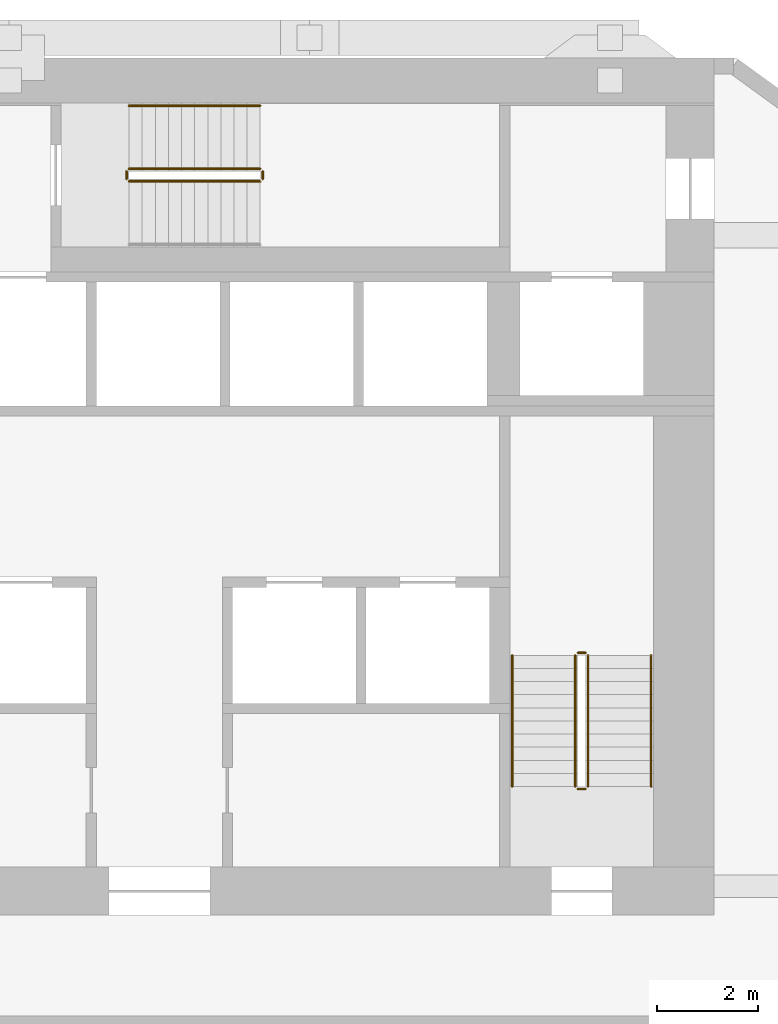
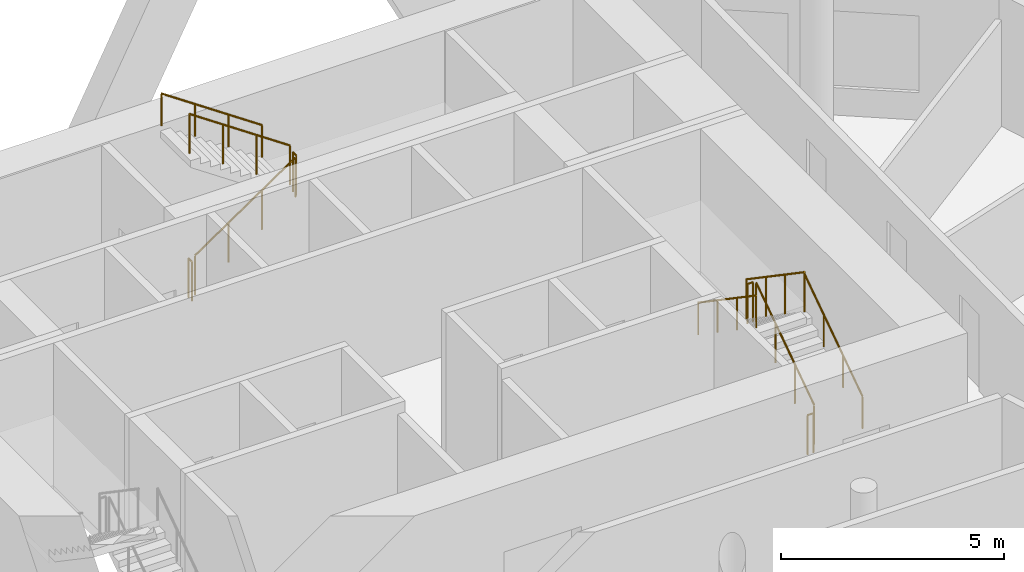
# One storey, part 9 of 9: 11 railings.
"""IFC4 building model written with IfcOpenShell, lengths in metres."""

import ifcopenshell
import ifcopenshell.guid

model = None  # the IFC model being written
_history = None  # IfcOwnerHistory: only IFC2X3 demands one
_inside = {}  # id of a spatial element -> (the spatial element, [elements in it])
_under = {}  # id of a project, library or spatial element -> (it, [spatial elements below it])
_declared = {}  # id of a project -> (the project, [libraries it declares])
_typed = {}  # id of a type object -> (the type object, [elements of that type])
_made_of = {}  # id of a material, layer set ... -> (it, [elements and type objects made of it])


def new_model(schema):
    """Start an empty IFC model of exactly this schema.

    Asked for "IFC4X3", IfcOpenShell would pick the latest addendum, in which some entities
    have other attributes; the version numbers below select the first issue.
    IFC2X3 requires an IfcOwnerHistory on every rooted entity: one is made here for all.
    """
    global model, _history
    if schema == "IFC4X3":
        model = ifcopenshell.file(schema_version=(4, 3, 0, 0))
    else:
        model = ifcopenshell.file(schema=schema)
    _inside.clear()
    _under.clear()
    _declared.clear()
    _typed.clear()
    _made_of.clear()
    _history = None
    if model.schema == "IFC2X3":
        org = make("IfcOrganization", Name="unknown")
        user = make(
            "IfcPersonAndOrganization",
            ThePerson=make("IfcPerson", FamilyName="unknown"),
            TheOrganization=org,
        )
        app = make(
            "IfcApplication",
            ApplicationDeveloper=org,
            Version="unknown",
            ApplicationFullName="unknown",
            ApplicationIdentifier="unknown",
        )
        _history = make(
            "IfcOwnerHistory",
            OwningUser=user,
            OwningApplication=app,
            ChangeAction="ADDED",
            CreationDate=0,
        )
    return model


def make(cls, **values):
    """One entity of the class cls with the attributes given. An attribute that is None is left unset."""
    return model.create_entity(
        cls, **{name: value for name, value in values.items() if value is not None}
    )


def rooted(cls, **values):
    """An entity with a GlobalId (a new one), such as an element, a storey or a relation."""
    return make(cls, GlobalId=ifcopenshell.guid.new(), OwnerHistory=_history, **values)


def si_unit(unit_type, name, prefix=None):
    """IfcSIUnit, for example si_unit("LENGTHUNIT", "METRE", prefix="MILLI")."""
    return make("IfcSIUnit", UnitType=unit_type, Prefix=prefix, Name=name)


def assignment(units):
    """IfcUnitAssignment: the units of a project."""
    return None if units is None else make("IfcUnitAssignment", Units=units)


def point(xyz):
    """IfcCartesianPoint."""
    return None if xyz is None else make("IfcCartesianPoint", Coordinates=xyz)


def direction(xyz):
    """IfcDirection."""
    return None if xyz is None else make("IfcDirection", DirectionRatios=xyz)


def frame(location, z_axis=None, x_axis=None):
    """IfcAxis2Placement3D, a coordinate frame: its origin and axes. An axis left out is left unset."""
    return make(
        "IfcAxis2Placement3D",
        Location=point(location),
        Axis=direction(z_axis),
        RefDirection=direction(x_axis),
    )


def frame_2d(location, x_axis=None):
    """IfcAxis2Placement2D, a coordinate frame in the plane: its origin and x axis."""
    return make(
        "IfcAxis2Placement2D", Location=point(location), RefDirection=direction(x_axis)
    )


def origin():
    """The frame at (0, 0, 0) with its axes left unset."""
    return frame((0.0, 0.0, 0.0))


def origin_2d():
    """The frame at (0, 0) in the plane with its x axis left unset."""
    return frame_2d((0.0, 0.0))


def place(relative_to, where):
    """IfcLocalPlacement: puts the frame where relative to a parent placement (None: the world)."""
    return make(
        "IfcLocalPlacement", PlacementRelTo=relative_to, RelativePlacement=where
    )


def context(
    kind, dimensions, precision=None, world=None, true_north=None, identifier=None
):
    """IfcGeometricRepresentationContext, for example the 3D "Model" context."""
    return make(
        "IfcGeometricRepresentationContext",
        ContextIdentifier=identifier,
        ContextType=kind,
        CoordinateSpaceDimension=dimensions,
        Precision=precision,
        WorldCoordinateSystem=world,
        TrueNorth=true_north,
    )


def subcontext(parent, identifier, kind, view, scale=None):
    """IfcGeometricRepresentationSubContext, for example "Body" below "Model"."""
    return make(
        "IfcGeometricRepresentationSubContext",
        ContextIdentifier=identifier,
        ContextType=kind,
        ParentContext=parent,
        TargetScale=scale,
        TargetView=view,
    )


def project(units=None, contexts=None):
    """IfcProject with its units and contexts."""
    return rooted(
        "IfcProject",
        Name="project",
        RepresentationContexts=contexts,
        UnitsInContext=assignment(units),
    )


def spatial(cls, under=None, at=None, **own):
    """A site, building, storey or space (cls), placed at a placement, below another one or the project."""
    s = rooted(cls, ObjectPlacement=at, **own)
    if under is not None:
        _under.setdefault(under.id(), (under, []))[1].append(s)
    return s


def profile(cls, at=None, kind="AREA", **sizes):
    """A parametric profile (cls). Its sizes go by their IFC names, for example OverallWidth=200.0."""
    return make(cls, ProfileType=kind, Position=at, **sizes)


def circle(**sizes):
    """IfcCircleProfileDef."""
    return profile("IfcCircleProfileDef", **sizes)


def extrude(swept, where, along, depth):
    """IfcExtrudedAreaSolid: the profile swept, set in the frame where, extruded along a direction by depth."""
    return make(
        "IfcExtrudedAreaSolid",
        SweptArea=swept,
        Position=where,
        ExtrudedDirection=direction(along),
        Depth=depth,
    )


def shape(context_of_items, identifier, shape_type, items):
    """IfcShapeRepresentation: the items that make up one representation, for example the "Body"."""
    return make(
        "IfcShapeRepresentation",
        ContextOfItems=context_of_items,
        RepresentationIdentifier=identifier,
        RepresentationType=shape_type,
        Items=items,
    )


def material(Name=None, Category=None):
    """IfcMaterial."""
    return make("IfcMaterial", Name=Name, Category=Category)


def made_of(thing, what):
    """Note that an element or type object is made of a material, layer set ...; save() writes the relation."""
    if what is not None:
        _made_of.setdefault(what.id(), (what, []))[1].append(thing)
    return thing


def type_object(cls, material=None, **own):
    """A type object (cls), such as IfcWallType, which elements share."""
    return made_of(rooted(cls, **own), material)


def element(
    cls,
    number,
    at=None,
    inside=None,
    cuts=None,
    type_object=None,
    material=None,
    context=None,
    identifier="Body",
    shape_type=None,
    held_by="IfcProductDefinitionShape",
    body=None,
    shapes=None,
    **own,
):
    """One element of the class cls, such as IfcWall. Its Tag is "e" and its number.

    at: its placement. inside: the storey or other place that contains it. cuts: it is an
    opening in that element (IfcRelVoidsElement). A single representation is given by context,
    identifier, shape_type and body (its items); several are given by shapes. held_by: the class
    of the entity that holds the representations. save() writes the other relations.
    """
    e = rooted(cls, Tag="e%d" % number, ObjectPlacement=at, **own)
    if body is not None:
        shapes = [shape(context, identifier, shape_type, body)]
    if shapes is not None:
        e.Representation = make(held_by, Representations=shapes)
    if inside is not None:
        _inside.setdefault(inside.id(), (inside, []))[1].append(e)
    if cuts is not None:
        rooted(
            "IfcRelVoidsElement", RelatingBuildingElement=cuts, RelatedOpeningElement=e
        )
    if type_object is not None:
        _typed.setdefault(type_object.id(), (type_object, []))[1].append(e)
    return made_of(e, material)


def aggregate(whole, parts):
    """IfcRelAggregates: a whole, such as a stair, and the parts it consists of."""
    return rooted("IfcRelAggregates", RelatingObject=whole, RelatedObjects=parts)


def save(model, path):
    """Write the relations noted so far, then the file.

    IfcRelAggregates (storeys below a building ...), IfcRelContainedInSpatialStructure (elements
    in a storey), IfcRelDefinesByType, IfcRelAssociatesMaterial and IfcRelDeclares: one each for
    every whole, place, type object, material and project.
    """
    for whole, parts in _under.values():
        aggregate(whole, parts)
    for where, things in _inside.values():
        rooted(
            "IfcRelContainedInSpatialStructure",
            RelatedElements=things,
            RelatingStructure=where,
        )
    for kind, things in _typed.values():
        rooted("IfcRelDefinesByType", RelatedObjects=things, RelatingType=kind)
    for what, things in _made_of.values():
        rooted("IfcRelAssociatesMaterial", RelatedObjects=things, RelatingMaterial=what)
    for by, libraries in _declared.values():
        rooted("IfcRelDeclares", RelatingContext=by, RelatedDefinitions=libraries)
    model.write(path)


model = new_model("IFC4")

# Units and contexts
model_context = context("Model", 3, precision=1e-05, world=origin(), true_north=direction((0.0, 1.0)))
body_context = subcontext(model_context, "Body", "Model", "MODEL_VIEW")
ifc_project = project(units=[si_unit("LENGTHUNIT", "METRE"), si_unit("AREAUNIT", "SQUARE_METRE"), si_unit("VOLUMEUNIT", "CUBIC_METRE"), si_unit("PLANEANGLEUNIT", "RADIAN"), si_unit("MASSUNIT", "GRAM", prefix="KILO")], contexts=[model_context])

# Site, building, storey
site_placement = place(None, origin())
site = spatial("IfcSite", under=ifc_project, at=site_placement, CompositionType="ELEMENT")
building_placement = place(site_placement, origin())
building = spatial("IfcBuilding", under=site, at=building_placement, Name="White Candle Pilgrim Tower", CompositionType="ELEMENT")
storey_placement = place(building_placement, frame((0.0, 0.0, 148.60009765625)))
storey = spatial("IfcBuildingStorey", under=building, at=storey_placement, Name="L33", CompositionType="ELEMENT", Elevation=148.60009765625)

# Railings
ifc_material = material(Name="Stainless steel", Category="steel")
railing_type_1 = type_object("IfcRailingType", Name="Stair guard stainless steel 1100 mm", PredefinedType="GUARDRAIL", material=ifc_material)
railing_1_placement = place(storey_placement, frame((78.5, 73.550048828125, 0.17724609375)))
element("IfcRailing", 1, at=railing_1_placement, inside=storey, type_object=railing_type_1, Name="L33 ST2 stair guard 1", PredefinedType="GUARDRAIL", context=body_context, shape_type="SweptSolid", body=[
    extrude(circle(Radius=0.02392578125, at=origin_2d()), frame((0.0, 0.0, 1.076171875), z_axis=(0.0, 0.826215852431, 0.563353676824), x_axis=(-1.0, 0.0, 0.0)), (0.0, 0.0, 1.0), 3.146728515625),
    extrude(circle(Radius=0.02099609375, at=origin_2d()), origin(), (0.0, 0.0, 1.0), 1.052001953125),
    extrude(circle(Radius=0.02099609375, at=origin_2d()), frame((0.0, 0.86669921875, 0.5908203125)), (0.0, 0.0, 1.0), 1.052001953125),
    extrude(circle(Radius=0.02099609375, at=origin_2d()), frame((0.0, 1.733154296875, 1.181884765625)), (0.0, 0.0, 1.0), 1.052001953125),
    extrude(circle(Radius=0.02099609375, at=origin_2d()), frame((0.0, 2.599853515625, 1.772705078125)), (0.0, 0.0, 1.0), 1.052001953125),
])
railing_2_placement = place(storey_placement, frame((78.449951171875, 76.199951171875, 1.949951171875)))
element("IfcRailing", 2, at=railing_2_placement, inside=storey, type_object=railing_type_1, Name="L33 ST2 stair guard 2", PredefinedType="GUARDRAIL", context=body_context, shape_type="SweptSolid", body=[
    extrude(circle(Radius=0.02392578125, at=origin_2d()), frame((0.0, 0.0, 1.076171875), z_axis=(-1.0, 0.0, 0.0), x_axis=(0.0, -1.0, 0.0)), (0.0, 0.0, 1.0), 0.14990234375),
    extrude(circle(Radius=0.02099609375, at=origin_2d()), origin(), (0.0, 0.0, 1.0), 1.052001953125),
    extrude(circle(Radius=0.02099609375, at=origin_2d()), frame((-0.14990234375, 0.0, 0.0)), (0.0, 0.0, 1.0), 1.052001953125),
])
railing_3_placement = place(storey_placement, frame((78.25, 76.14990234375, 2.127197265625)))
element("IfcRailing", 3, at=railing_3_placement, inside=storey, type_object=railing_type_1, Name="L33 ST2 stair guard 3", PredefinedType="GUARDRAIL", context=body_context, shape_type="SweptSolid", body=[
    extrude(circle(Radius=0.02392578125, at=origin_2d()), frame((0.0, 0.0, 1.076171875), z_axis=(0.0, -0.826215852431, 0.563353676824), x_axis=(1.0, 0.0, 0.0)), (0.0, 0.0, 1.0), 3.146728515625),
    extrude(circle(Radius=0.02099609375, at=origin_2d()), origin(), (0.0, 0.0, 1.0), 1.052001953125),
    extrude(circle(Radius=0.02099609375, at=origin_2d()), frame((0.0, -0.86669921875, 0.5908203125)), (0.0, 0.0, 1.0), 1.052001953125),
    extrude(circle(Radius=0.02099609375, at=origin_2d()), frame((0.0, -1.733154296875, 1.181884765625)), (0.0, 0.0, 1.0), 1.052001953125),
    extrude(circle(Radius=0.02099609375, at=origin_2d()), frame((0.0, -2.599853515625, 1.772705078125)), (0.0, 0.0, 1.0), 1.052001953125),
])
railing_4_placement = place(storey_placement, frame((78.449951171875, 73.5, 0.0)))
element("IfcRailing", 4, at=railing_4_placement, inside=storey, type_object=railing_type_1, Name="L33 ST2 stair guard 4", PredefinedType="GUARDRAIL", context=body_context, shape_type="SweptSolid", body=[
    extrude(circle(Radius=0.02392578125, at=origin_2d()), frame((0.0, 0.0, 1.076171875), z_axis=(-1.0, 0.0, 0.0), x_axis=(0.0, -1.0, 0.0)), (0.0, 0.0, 1.0), 0.14990234375),
    extrude(circle(Radius=0.02099609375, at=origin_2d()), origin(), (0.0, 0.0, 1.0), 1.052001953125),
    extrude(circle(Radius=0.02099609375, at=origin_2d()), frame((-0.14990234375, 0.0, 0.0)), (0.0, 0.0, 1.0), 1.052001953125),
])
railing_5_placement = place(storey_placement, frame((69.39990234375, 85.550048828125, 0.17724609375)))
element("IfcRailing", 5, at=railing_5_placement, inside=storey, type_object=railing_type_1, Name="L33 ST3 stair guard 1", PredefinedType="GUARDRAIL", context=body_context, shape_type="SweptSolid", body=[
    extrude(circle(Radius=0.02392578125, at=origin_2d()), frame((0.0, 0.0, 1.076171875), z_axis=(0.826240473404, 0.0, 0.563317565952), x_axis=(0.0, 1.0, 0.0)), (0.0, 0.0, 1.0), 3.14697265625),
    extrude(circle(Radius=0.02099609375, at=origin_2d()), origin(), (0.0, 0.0, 1.0), 1.052001953125),
    extrude(circle(Radius=0.02099609375, at=origin_2d()), frame((0.86669921875, 0.0, 0.5908203125)), (0.0, 0.0, 1.0), 1.052001953125),
    extrude(circle(Radius=0.02099609375, at=origin_2d()), frame((1.7333984375, 0.0, 1.181884765625)), (0.0, 0.0, 1.0), 1.052001953125),
    extrude(circle(Radius=0.02099609375, at=origin_2d()), frame((2.60009765625, 0.0, 1.772705078125)), (0.0, 0.0, 1.0), 1.052001953125),
])
railing_6_placement = place(storey_placement, frame((72.050048828125, 85.60009765625, 1.949951171875)))
element("IfcRailing", 6, at=railing_6_placement, inside=storey, type_object=railing_type_1, Name="L33 ST3 stair guard 2", PredefinedType="GUARDRAIL", context=body_context, shape_type="SweptSolid", body=[
    extrude(circle(Radius=0.02392578125, at=origin_2d()), frame((0.0, 0.0, 1.076171875), z_axis=(0.0, 1.0, 0.0), x_axis=(-1.0, 0.0, 0.0)), (0.0, 0.0, 1.0), 0.14990234375),
    extrude(circle(Radius=0.02099609375, at=origin_2d()), origin(), (0.0, 0.0, 1.0), 1.052001953125),
    extrude(circle(Radius=0.02099609375, at=origin_2d()), frame((0.0, 0.14990234375, 0.0)), (0.0, 0.0, 1.0), 1.052001953125),
])
railing_7_placement = place(storey_placement, frame((72.0, 85.800048828125, 2.127197265625)))
element("IfcRailing", 7, at=railing_7_placement, inside=storey, type_object=railing_type_1, Name="L33 ST3 stair guard 3", PredefinedType="GUARDRAIL", context=body_context, shape_type="SweptSolid", body=[
    extrude(circle(Radius=0.02392578125, at=origin_2d()), frame((0.0, 0.0, 1.076171875), z_axis=(-0.826240473404, 0.0, 0.563317565952), x_axis=(0.0, -1.0, 0.0)), (0.0, 0.0, 1.0), 3.14697265625),
    extrude(circle(Radius=0.02099609375, at=origin_2d()), origin(), (0.0, 0.0, 1.0), 1.052001953125),
    extrude(circle(Radius=0.02099609375, at=origin_2d()), frame((-0.86669921875, 0.0, 0.5908203125)), (0.0, 0.0, 1.0), 1.052001953125),
    extrude(circle(Radius=0.02099609375, at=origin_2d()), frame((-1.7333984375, 0.0, 1.181884765625)), (0.0, 0.0, 1.0), 1.052001953125),
    extrude(circle(Radius=0.02099609375, at=origin_2d()), frame((-2.60009765625, 0.0, 1.772705078125)), (0.0, 0.0, 1.0), 1.052001953125),
])
railing_8_placement = place(storey_placement, frame((69.35009765625, 85.60009765625, 0.0)))
element("IfcRailing", 8, at=railing_8_placement, inside=storey, type_object=railing_type_1, Name="L33 ST3 stair guard 4", PredefinedType="GUARDRAIL", context=body_context, shape_type="SweptSolid", body=[
    extrude(circle(Radius=0.02392578125, at=origin_2d()), frame((0.0, 0.0, 1.076171875), z_axis=(0.0, 1.0, 0.0), x_axis=(-1.0, 0.0, 0.0)), (0.0, 0.0, 1.0), 0.14990234375),
    extrude(circle(Radius=0.02099609375, at=origin_2d()), origin(), (0.0, 0.0, 1.0), 1.052001953125),
    extrude(circle(Radius=0.02099609375, at=origin_2d()), frame((0.0, 0.14990234375, 0.0)), (0.0, 0.0, 1.0), 1.052001953125),
])
railing_type_2 = type_object("IfcRailingType", Name="Stair handrail stainless steel", PredefinedType="HANDRAIL", material=ifc_material)
railing_9_placement = place(storey_placement, frame((79.75, 73.550048828125, 0.17724609375)))
element("IfcRailing", 9, at=railing_9_placement, inside=storey, type_object=railing_type_2, Name="L33 ST2 stair handrail 1", PredefinedType="HANDRAIL", context=body_context, shape_type="SweptSolid", body=[
    extrude(circle(Radius=0.02392578125, at=origin_2d()), frame((0.0, 0.0, 0.8759765625), z_axis=(0.0, 0.826215852431, 0.563353676824), x_axis=(-1.0, 0.0, 0.0)), (0.0, 0.0, 1.0), 3.146728515625),
    extrude(circle(Radius=0.02099609375, at=origin_2d()), origin(), (0.0, 0.0, 1.0), 0.851806640625),
    extrude(circle(Radius=0.02099609375, at=origin_2d()), frame((0.0, 0.86669921875, 0.5908203125)), (0.0, 0.0, 1.0), 0.851806640625),
    extrude(circle(Radius=0.02099609375, at=origin_2d()), frame((0.0, 1.733154296875, 1.181884765625)), (0.0, 0.0, 1.0), 0.851806640625),
    extrude(circle(Radius=0.02099609375, at=origin_2d()), frame((0.0, 2.599853515625, 1.772705078125)), (0.0, 0.0, 1.0), 0.851806640625),
])
railing_10_placement = place(storey_placement, frame((77.0, 76.14990234375, 2.127197265625)))
element("IfcRailing", 10, at=railing_10_placement, inside=storey, type_object=railing_type_2, Name="L33 ST2 stair handrail 2", PredefinedType="HANDRAIL", context=body_context, shape_type="SweptSolid", body=[
    extrude(circle(Radius=0.02392578125, at=origin_2d()), frame((0.0, 0.0, 0.8759765625), z_axis=(0.0, -0.826215852431, 0.563353676824), x_axis=(1.0, 0.0, 0.0)), (0.0, 0.0, 1.0), 3.146728515625),
    extrude(circle(Radius=0.02099609375, at=origin_2d()), origin(), (0.0, 0.0, 1.0), 0.851806640625),
    extrude(circle(Radius=0.02099609375, at=origin_2d()), frame((0.0, -0.86669921875, 0.5908203125)), (0.0, 0.0, 1.0), 0.851806640625),
    extrude(circle(Radius=0.02099609375, at=origin_2d()), frame((0.0, -1.733154296875, 1.181884765625)), (0.0, 0.0, 1.0), 0.851806640625),
    extrude(circle(Radius=0.02099609375, at=origin_2d()), frame((0.0, -2.599853515625, 1.772705078125)), (0.0, 0.0, 1.0), 0.851806640625),
])
railing_11_placement = place(storey_placement, frame((72.0, 87.050048828125, 2.127197265625)))
element("IfcRailing", 11, at=railing_11_placement, inside=storey, type_object=railing_type_2, Name="L33 ST3 stair handrail 2", PredefinedType="HANDRAIL", context=body_context, shape_type="SweptSolid", body=[
    extrude(circle(Radius=0.02392578125, at=origin_2d()), frame((0.0, 0.0, 0.8759765625), z_axis=(-0.826240473404, 0.0, 0.563317565952), x_axis=(0.0, -1.0, 0.0)), (0.0, 0.0, 1.0), 3.14697265625),
    extrude(circle(Radius=0.02099609375, at=origin_2d()), origin(), (0.0, 0.0, 1.0), 0.851806640625),
    extrude(circle(Radius=0.02099609375, at=origin_2d()), frame((-0.86669921875, 0.0, 0.5908203125)), (0.0, 0.0, 1.0), 0.851806640625),
    extrude(circle(Radius=0.02099609375, at=origin_2d()), frame((-1.7333984375, 0.0, 1.181884765625)), (0.0, 0.0, 1.0), 0.851806640625),
    extrude(circle(Radius=0.02099609375, at=origin_2d()), frame((-2.60009765625, 0.0, 1.772705078125)), (0.0, 0.0, 1.0), 0.851806640625),
])

save(model, "model.ifc")
